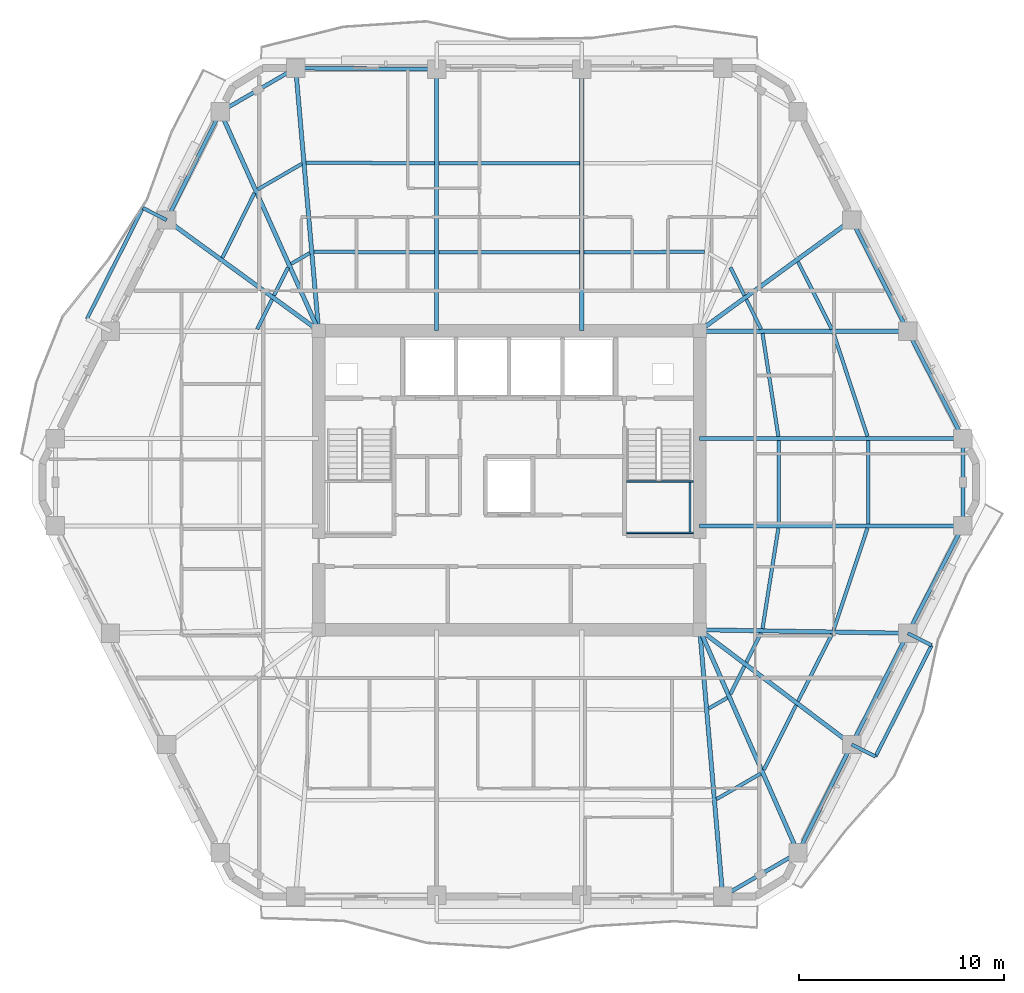
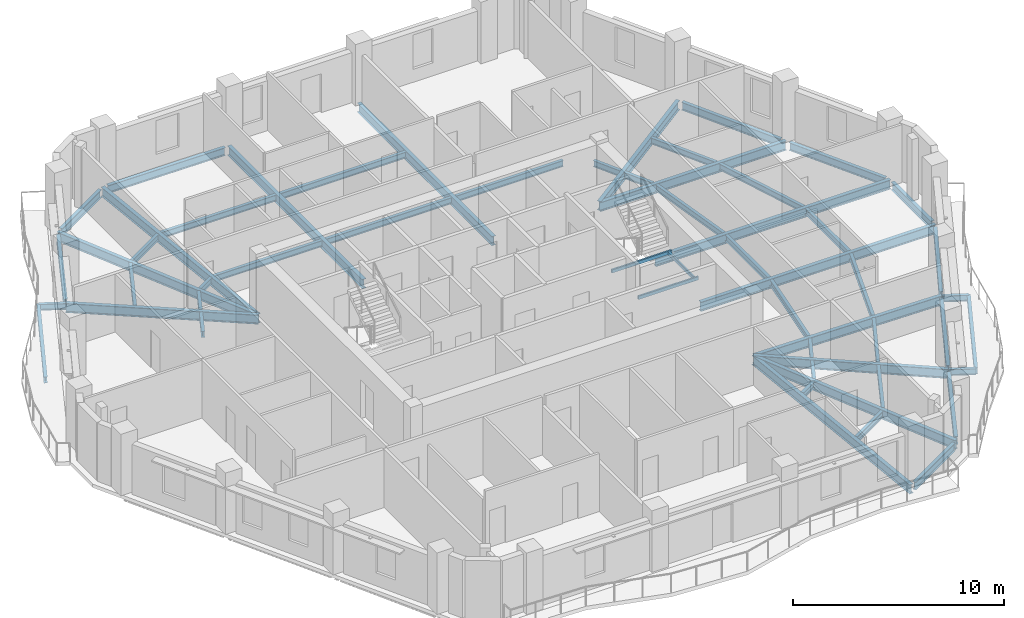
# One storey, part 2 of 11: 56 beams.
"""IFC4 building model written with IfcOpenShell, lengths in metres."""

from ifc_helpers import new_model, si_unit, direction, frame, origin, origin_2d, place, context, subcontext, project, spatial, hollow_rectangle, i_section, extrude, material, material_profile, profile_set, type_object, element, save


model = new_model("IFC4")

# Units and contexts
model_context = context("Model", 3, precision=1e-05, world=origin(), true_north=direction((0.0, 1.0)))
body_context = subcontext(model_context, "Body", "Model", "MODEL_VIEW")
ifc_project = project(units=[si_unit("LENGTHUNIT", "METRE"), si_unit("AREAUNIT", "SQUARE_METRE"), si_unit("VOLUMEUNIT", "CUBIC_METRE"), si_unit("PLANEANGLEUNIT", "RADIAN"), si_unit("MASSUNIT", "GRAM", prefix="KILO")], contexts=[model_context])

# Site, building, storey
site_placement = place(None, origin())
site = spatial("IfcSite", under=ifc_project, at=site_placement, CompositionType="ELEMENT")
building_placement = place(site_placement, origin())
building = spatial("IfcBuilding", under=site, at=building_placement, Name="Cinnabar Lancet Tower", CompositionType="ELEMENT")
storey_placement = place(building_placement, frame((0.0, 0.0, 182.550048828125)))
storey = spatial("IfcBuildingStorey", under=building, at=storey_placement, Name="L48", CompositionType="ELEMENT", Elevation=182.550048828125)

# Beams
ifc_material_1 = material(Name="Structural steel S355", Category="steel")
ifc_material_profile_1 = material_profile(ifc_material_1, i_section(OverallWidth=0.17138671875, OverallDepth=0.35498046875, WebThickness=0.00732421875, FlangeThickness=0.011474609375, FilletRadius=0.01025390625, at=origin_2d()), Name="UKB 356x171x51")
ifc_profile_set_1 = profile_set([ifc_material_profile_1], Name="Structural steel S355")
beam_type_1 = type_object("IfcBeamType", Name="STR-BM-JST-356", PredefinedType="JOIST", material=ifc_profile_set_1)
beam_1_placement = place(storey_placement, frame((42.51708984375, 10.3310546875, -0.3779296875), z_axis=(0.865267839663, 0.501309849937, 0.0), x_axis=(-0.501309849937, 0.865267839663, 0.0)))
element("IfcBeam", 1, at=beam_1_placement, inside=storey, type_object=beam_type_1, Name="L48 Secondary Floor Joist 15", PredefinedType="JOIST", context=body_context, shape_type="SweptSolid", body=[
    extrude(i_section(OverallWidth=0.17138671875, OverallDepth=0.35498046875, WebThickness=0.00732421875, FlangeThickness=0.011474609375, FilletRadius=0.01025390625, at=origin_2d()), origin(), (0.0, 0.0, 1.0), 2.497314453125),
])
beam_2_placement = place(storey_placement, frame((42.135986328125, 14.7548828125, -0.3779296875), z_axis=(0.8651881055, 0.501447446998, 0.0), x_axis=(-0.501447446998, 0.8651881055, 0.0)))
element("IfcBeam", 2, at=beam_2_placement, inside=storey, type_object=beam_type_1, Name="L48 Secondary Floor Joist 16", PredefinedType="JOIST", context=body_context, shape_type="SweptSolid", body=[
    extrude(i_section(OverallWidth=0.17138671875, OverallDepth=0.35498046875, WebThickness=0.00732421875, FlangeThickness=0.011474609375, FilletRadius=0.01025390625, at=origin_2d()), origin(), (0.0, 0.0, 1.0), 1.05322265625),
])
beam_3_placement = place(storey_placement, frame((44.8291015625, 11.758056640625, -0.3779296875), z_axis=(0.445027906173, 0.895516701534, 0.0), x_axis=(-0.895516701534, 0.445027906173, 0.0)))
element("IfcBeam", 3, at=beam_3_placement, inside=storey, type_object=beam_type_1, Name="L48 Secondary Floor Joist 17", PredefinedType="JOIST", context=body_context, shape_type="SweptSolid", body=[
    extrude(i_section(OverallWidth=0.17138671875, OverallDepth=0.35498046875, WebThickness=0.00732421875, FlangeThickness=0.011474609375, FilletRadius=0.01025390625, at=origin_2d()), origin(), (0.0, 0.0, 1.0), 3.531982421875),
])
beam_4_placement = place(storey_placement, frame((43.198974609375, 15.45703125, -0.3779296875), z_axis=(0.444589856968, 0.895734256954, 0.0), x_axis=(-0.895734256954, 0.444589856968, 0.0)))
element("IfcBeam", 4, at=beam_4_placement, inside=storey, type_object=beam_type_1, Name="L48 Secondary Floor Joist 18", PredefinedType="JOIST", context=body_context, shape_type="SweptSolid", body=[
    extrude(i_section(OverallWidth=0.17138671875, OverallDepth=0.35498046875, WebThickness=0.00732421875, FlangeThickness=0.011474609375, FilletRadius=0.01025390625, at=origin_2d()), origin(), (0.0, 0.0, 1.0), 1.527099609375),
])
beam_5_placement = place(storey_placement, frame((46.49609375, 15.112060546875, -0.3779296875), z_axis=(0.450564728728, 0.892743762357, 0.0), x_axis=(-0.892743762357, 0.450564728728, 0.0)))
element("IfcBeam", 5, at=beam_5_placement, inside=storey, type_object=beam_type_1, Name="L48 Secondary Floor Joist 19", PredefinedType="JOIST", context=body_context, shape_type="SweptSolid", body=[
    extrude(i_section(OverallWidth=0.17138671875, OverallDepth=0.35498046875, WebThickness=0.00732421875, FlangeThickness=0.011474609375, FilletRadius=0.01025390625, at=origin_2d()), origin(), (0.0, 0.0, 1.0), 3.66845703125),
])
beam_6_placement = place(storey_placement, frame((43.97412109375, 17.014892578125, -0.3779296875), z_axis=(0.450137936259, 0.892959035085, 0.0), x_axis=(-0.892959035085, 0.450137936259, 0.0)))
element("IfcBeam", 6, at=beam_6_placement, inside=storey, type_object=beam_type_1, Name="L48 Secondary Floor Joist 20", PredefinedType="JOIST", context=body_context, shape_type="SweptSolid", body=[
    extrude(i_section(OverallWidth=0.17138671875, OverallDepth=0.35498046875, WebThickness=0.00732421875, FlangeThickness=0.011474609375, FilletRadius=0.01025390625, at=origin_2d()), origin(), (0.0, 0.0, 1.0), 1.6015625),
])
beam_7_placement = place(storey_placement, frame((48.236083984375, 18.594970703125, -0.3779296875), z_axis=(0.315346227037, 0.948976689436, 0.0), x_axis=(-0.948976689436, 0.315346227037, 0.0)))
element("IfcBeam", 7, at=beam_7_placement, inside=storey, type_object=beam_type_1, Name="L48 Secondary Floor Joist 21", PredefinedType="JOIST", context=body_context, shape_type="SweptSolid", body=[
    extrude(i_section(OverallWidth=0.17138671875, OverallDepth=0.35498046875, WebThickness=0.00732421875, FlangeThickness=0.011474609375, FilletRadius=0.01025390625, at=origin_2d()), origin(), (0.0, 0.0, 1.0), 5.235107421875),
])
beam_8_placement = place(storey_placement, frame((44.763916015625, 18.653076171875, -0.3779296875), z_axis=(0.155750702097, 0.987796395416, 0.0), x_axis=(-0.987796395416, 0.155750702097, 0.0)))
element("IfcBeam", 8, at=beam_8_placement, inside=storey, type_object=beam_type_1, Name="L48 Secondary Floor Joist 22", PredefinedType="JOIST", context=body_context, shape_type="SweptSolid", body=[
    extrude(i_section(OverallWidth=0.17138671875, OverallDepth=0.35498046875, WebThickness=0.00732421875, FlangeThickness=0.011474609375, FilletRadius=0.01025390625, at=origin_2d()), origin(), (0.0, 0.0, 1.0), 4.970458984375),
])
for number, where, z_axis, x_axis, name in (
    (9, (49.922119140625, 23.77294921875, -0.3779296875), (0.0, 1.0, 0.0), (-1.0, 0.0, 0.0), "L48 Secondary Floor Joist 23"),
    (10, (45.553955078125, 23.77294921875, -0.3779296875), (0.0, 1.0, 0.0), (-1.0, 0.0, 0.0), "L48 Secondary Floor Joist 24"),
):
    element("IfcBeam", number, at=place(storey_placement, frame(where, z_axis=z_axis, x_axis=x_axis)), inside=storey, type_object=beam_type_1, Name=name, PredefinedType="JOIST", context=body_context, shape_type="SweptSolid", body=[
        extrude(i_section(OverallWidth=0.17138671875, OverallDepth=0.35498046875, WebThickness=0.00732421875, FlangeThickness=0.011474609375, FilletRadius=0.01025390625, at=origin_2d()), origin(), (0.0, 0.0, 1.0), 4.053955078125),
    ])
beam_9_placement = place(storey_placement, frame((49.887939453125, 28.037109375, -0.3779296875), z_axis=(-0.312240109925, 0.95000321776, 0.0), x_axis=(-0.95000321776, -0.312240109925, 0.0)))
element("IfcBeam", 11, at=beam_9_placement, inside=storey, type_object=beam_type_1, Name="L48 Secondary Floor Joist 25", PredefinedType="JOIST", context=body_context, shape_type="SweptSolid", body=[
    extrude(i_section(OverallWidth=0.17138671875, OverallDepth=0.35498046875, WebThickness=0.00732421875, FlangeThickness=0.011474609375, FilletRadius=0.01025390625, at=origin_2d()), origin(), (0.0, 0.0, 1.0), 5.29345703125),
])
beam_10_placement = place(storey_placement, frame((45.5380859375, 28.037109375, -0.3779296875), z_axis=(-0.152154536592, 0.98835671546, 0.0), x_axis=(-0.98835671546, -0.152154536592, 0.0)))
element("IfcBeam", 12, at=beam_10_placement, inside=storey, type_object=beam_type_1, Name="L48 Secondary Floor Joist 26", PredefinedType="JOIST", context=body_context, shape_type="SweptSolid", body=[
    extrude(i_section(OverallWidth=0.17138671875, OverallDepth=0.35498046875, WebThickness=0.00732421875, FlangeThickness=0.011474609375, FilletRadius=0.01025390625, at=origin_2d()), origin(), (0.0, 0.0, 1.0), 5.088134765625),
])
beam_11_placement = place(storey_placement, frame((48.14794921875, 33.27587890625, -0.3779296875), z_axis=(-0.449230875134, 0.893415704376, 0.0), x_axis=(-0.893415704376, -0.449230875134, 0.0)))
element("IfcBeam", 13, at=beam_11_placement, inside=storey, type_object=beam_type_1, Name="L48 Secondary Floor Joist 27", PredefinedType="JOIST", context=body_context, shape_type="SweptSolid", body=[
    extrude(i_section(OverallWidth=0.17138671875, OverallDepth=0.35498046875, WebThickness=0.00732421875, FlangeThickness=0.011474609375, FilletRadius=0.01025390625, at=origin_2d()), origin(), (0.0, 0.0, 1.0), 3.677001953125),
])
beam_12_placement = place(storey_placement, frame((44.695068359375, 33.27587890625, -0.3779296875), z_axis=(-0.446006949597, 0.89502949723, 0.0), x_axis=(-0.89502949723, -0.446006949597, 0.0)))
element("IfcBeam", 14, at=beam_12_placement, inside=storey, type_object=beam_type_1, Name="L48 Secondary Floor Joist 28", PredefinedType="JOIST", context=body_context, shape_type="SweptSolid", body=[
    extrude(i_section(OverallWidth=0.17138671875, OverallDepth=0.35498046875, WebThickness=0.00732421875, FlangeThickness=0.011474609375, FilletRadius=0.01025390625, at=origin_2d()), origin(), (0.0, 0.0, 1.0), 1.619140625),
])
beam_13_placement = place(storey_placement, frame((43.8779296875, 34.9150390625, -0.3779296875), z_axis=(-0.444589856968, 0.895734256954, 0.0), x_axis=(-0.895734256954, -0.444589856968, 0.0)))
element("IfcBeam", 15, at=beam_13_placement, inside=storey, type_object=beam_type_1, Name="L48 Secondary Floor Joist 30", PredefinedType="JOIST", context=body_context, shape_type="SweptSolid", body=[
    extrude(i_section(OverallWidth=0.17138671875, OverallDepth=0.35498046875, WebThickness=0.00732421875, FlangeThickness=0.011474609375, FilletRadius=0.01025390625, at=origin_2d()), origin(), (0.0, 0.0, 1.0), 1.527099609375),
])
beam_14_placement = place(storey_placement, frame((41.930908203125, 37.04296875, -0.3779296875), z_axis=(-0.999996795667, -0.002531532393, 0.0), x_axis=(0.002531532393, -0.999996795667, 0.0)))
element("IfcBeam", 16, at=beam_14_placement, inside=storey, type_object=beam_type_1, Name="L48 Secondary Floor Joist 34", PredefinedType="JOIST", context=body_context, shape_type="SweptSolid", body=[
    extrude(i_section(OverallWidth=0.17138671875, OverallDepth=0.35498046875, WebThickness=0.00732421875, FlangeThickness=0.011474609375, FilletRadius=0.01025390625, at=origin_2d()), origin(), (0.0, 0.0, 1.0), 5.8828125),
])
for number, where, z_axis, x_axis, name in (
    (17, (35.837890625, 41.364990234375, -0.3779296875), (-1.0, 0.0, 0.0), (0.0, -1.0, 0.0), "L48 Secondary Floor Joist 35"),
    (18, (35.837890625, 37.027099609375, -0.3779296875), (-1.0, 0.0, 0.0), (0.0, -1.0, 0.0), "L48 Secondary Floor Joist 36"),
):
    element("IfcBeam", number, at=place(storey_placement, frame(where, z_axis=z_axis, x_axis=x_axis)), inside=storey, type_object=beam_type_1, Name=name, PredefinedType="JOIST", context=body_context, shape_type="SweptSolid", body=[
        extrude(i_section(OverallWidth=0.17138671875, OverallDepth=0.35498046875, WebThickness=0.00732421875, FlangeThickness=0.011474609375, FilletRadius=0.01025390625, at=origin_2d()), origin(), (0.0, 0.0, 1.0), 6.8759765625),
    ])
beam_15_placement = place(storey_placement, frame((28.751953125, 41.365966796875, -0.3779296875), z_axis=(-0.999986965561, 0.005105752523, 0.0), x_axis=(-0.005105752523, -0.999986965561, 0.0)))
element("IfcBeam", 19, at=beam_15_placement, inside=storey, type_object=beam_type_1, Name="L48 Secondary Floor Joist 37", PredefinedType="JOIST", context=body_context, shape_type="SweptSolid", body=[
    extrude(i_section(OverallWidth=0.17138671875, OverallDepth=0.35498046875, WebThickness=0.00732421875, FlangeThickness=0.011474609375, FilletRadius=0.01025390625, at=origin_2d()), origin(), (0.0, 0.0, 1.0), 6.263916015625),
])
beam_16_placement = place(storey_placement, frame((28.751953125, 37.028076171875, -0.3779296875), z_axis=(-0.999996795933, 0.002531427338, 0.0), x_axis=(-0.002531427338, -0.999996795933, 0.0)))
element("IfcBeam", 20, at=beam_16_placement, inside=storey, type_object=beam_type_1, Name="L48 Secondary Floor Joist 38", PredefinedType="JOIST", context=body_context, shape_type="SweptSolid", body=[
    extrude(i_section(OverallWidth=0.17138671875, OverallDepth=0.35498046875, WebThickness=0.00732421875, FlangeThickness=0.011474609375, FilletRadius=0.01025390625, at=origin_2d()), origin(), (0.0, 0.0, 1.0), 5.883056640625),
])
beam_17_placement = place(storey_placement, frame((22.282958984375, 41.341064453125, -0.3779296875), z_axis=(-0.865267839663, -0.501309849937, 0.0), x_axis=(0.501309849937, -0.865267839663, 0.0)))
element("IfcBeam", 21, at=beam_17_placement, inside=storey, type_object=beam_type_1, Name="L48 Secondary Floor Joist 39", PredefinedType="JOIST", context=body_context, shape_type="SweptSolid", body=[
    extrude(i_section(OverallWidth=0.17138671875, OverallDepth=0.35498046875, WebThickness=0.00732421875, FlangeThickness=0.011474609375, FilletRadius=0.01025390625, at=origin_2d()), origin(), (0.0, 0.0, 1.0), 2.497314453125),
])
beam_18_placement = place(storey_placement, frame((22.6640625, 36.985107421875, -0.3779296875), z_axis=(-0.8651881055, -0.501447446998, 0.0), x_axis=(0.501447446998, -0.8651881055, 0.0)))
element("IfcBeam", 22, at=beam_18_placement, inside=storey, type_object=beam_type_1, Name="L48 Secondary Floor Joist 40", PredefinedType="JOIST", context=body_context, shape_type="SweptSolid", body=[
    extrude(i_section(OverallWidth=0.17138671875, OverallDepth=0.35498046875, WebThickness=0.00732421875, FlangeThickness=0.011474609375, FilletRadius=0.01025390625, at=origin_2d()), origin(), (0.0, 0.0, 1.0), 1.05322265625),
])
beam_19_placement = place(storey_placement, frame((19.970947265625, 39.9150390625, -0.3779296875), z_axis=(-0.444835507887, -0.895612288283, 0.0), x_axis=(0.895612288283, -0.444835507887, 0.0)))
element("IfcBeam", 23, at=beam_19_placement, inside=storey, type_object=beam_type_1, Name="L48 Secondary Floor Joist 41", PredefinedType="JOIST", context=body_context, shape_type="SweptSolid", body=[
    extrude(i_section(OverallWidth=0.17138671875, OverallDepth=0.35498046875, WebThickness=0.00732421875, FlangeThickness=0.011474609375, FilletRadius=0.01025390625, at=origin_2d()), origin(), (0.0, 0.0, 1.0), 3.533935546875),
])
beam_20_placement = place(storey_placement, frame((21.60107421875, 36.282958984375, -0.3779296875), z_axis=(-0.444589856968, -0.895734256954, 0.0), x_axis=(0.895734256954, -0.444589856968, 0.0)))
element("IfcBeam", 24, at=beam_20_placement, inside=storey, type_object=beam_type_1, Name="L48 Secondary Floor Joist 42", PredefinedType="JOIST", context=body_context, shape_type="SweptSolid", body=[
    extrude(i_section(OverallWidth=0.17138671875, OverallDepth=0.35498046875, WebThickness=0.00732421875, FlangeThickness=0.011474609375, FilletRadius=0.01025390625, at=origin_2d()), origin(), (0.0, 0.0, 1.0), 1.527099609375),
])
beam_21_placement = place(storey_placement, frame((20.826904296875, 34.72509765625, -0.3779296875), z_axis=(-0.44588615098, -0.895089682861, 0.0), x_axis=(0.895089682861, -0.44588615098, 0.0)))
element("IfcBeam", 25, at=beam_21_placement, inside=storey, type_object=beam_type_1, Name="L48 Secondary Floor Joist 44", PredefinedType="JOIST", context=body_context, shape_type="SweptSolid", body=[
    extrude(i_section(OverallWidth=0.17138671875, OverallDepth=0.35498046875, WebThickness=0.00732421875, FlangeThickness=0.011474609375, FilletRadius=0.01025390625, at=origin_2d()), origin(), (0.0, 0.0, 1.0), 1.619140625),
])
ifc_material_2 = material(Name="Structural steel S355", Category="steel")
ifc_material_profile_2 = material_profile(ifc_material_2, hollow_rectangle(XDim=0.10009765625, YDim=0.199951171875, WallThickness=0.008056640625, InnerFilletRadius=0.00390625, OuterFilletRadius=0.011962890625, at=origin_2d()), Name="RHS 200x100x8")
ifc_profile_set_2 = profile_set([ifc_material_profile_2], Name="Structural steel S355")
beam_type_2 = type_object("IfcBeamType", Name="STR-BM-LND-203", PredefinedType="BEAM", material=ifc_profile_set_2)
for number, where, z_axis, x_axis, name in (
    (26, (38.1201171875, 23.330078125, 1.474853515625), (1.0, 0.0, 0.0), (0.0, 1.0, 0.0), "L48 ST-2-L48 Landing Support Beam S"),
    (27, (38.1201171875, 25.844970703125, 1.474853515625), (1.0, 0.0, 0.0), (0.0, 1.0, 0.0), "L48 ST-2-L48 Landing Support Beam N"),
):
    element("IfcBeam", number, at=place(storey_placement, frame(where, z_axis=z_axis, x_axis=x_axis)), inside=storey, type_object=beam_type_2, Name=name, PredefinedType="BEAM", context=body_context, shape_type="SweptSolid", body=[
        extrude(hollow_rectangle(XDim=0.10009765625, YDim=0.199951171875, WallThickness=0.008056640625, InnerFilletRadius=0.00390625, OuterFilletRadius=0.011962890625, at=origin_2d()), origin(), (0.0, 0.0, 1.0), 3.27978515625),
    ])
beam_22_placement = place(storey_placement, frame((41.219970703125, 23.3798828125, 1.474853515625), z_axis=(0.0, 1.0, 0.0), x_axis=(-1.0, 0.0, 0.0)))
element("IfcBeam", 28, at=beam_22_placement, inside=storey, type_object=beam_type_2, Name="L48 ST-2-L48 Landing Side Trimmer Beam", PredefinedType="BEAM", context=body_context, shape_type="SweptSolid", body=[
    extrude(hollow_rectangle(XDim=0.10009765625, YDim=0.199951171875, WallThickness=0.008056640625, InnerFilletRadius=0.00390625, OuterFilletRadius=0.011962890625, at=origin_2d()), origin(), (0.0, 0.0, 1.0), 2.4150390625),
])
ifc_material_3 = material(Name="Structural steel S355", Category="steel")
ifc_material_profile_3 = material_profile(ifc_material_3, i_section(OverallWidth=0.1904296875, OverallDepth=0.45703125, WebThickness=0.009033203125, FlangeThickness=0.014404296875, FilletRadius=0.01025390625, at=origin_2d()), Name="UKB 457x191x74")
ifc_profile_set_3 = profile_set([ifc_material_profile_3], Name="Structural steel S355")
beam_type_3 = type_object("IfcBeamType", Name="STR-BM-SPN-457", PredefinedType="SPANDREL", material=ifc_profile_set_3)
beam_23_placement = place(storey_placement, frame((43.037109375, 5.714111328125, -0.428955078125), z_axis=(0.865195717586, 0.501434313016, 0.0), x_axis=(-0.501434313016, 0.865195717586, 0.0)))
element("IfcBeam", 29, at=beam_23_placement, inside=storey, type_object=beam_type_3, Name="L48 Perimeter Spandrel 4", PredefinedType="SPANDREL", context=body_context, shape_type="SweptSolid", body=[
    extrude(i_section(OverallWidth=0.1904296875, OverallDepth=0.45703125, WebThickness=0.009033203125, FlangeThickness=0.014404296875, FilletRadius=0.01025390625, at=origin_2d()), origin(), (0.0, 0.0, 1.0), 3.7470703125),
])
beam_24_placement = place(storey_placement, frame((46.60595703125, 7.94189453125, -0.428955078125), z_axis=(0.444914968367, 0.895572817208, 0.0), x_axis=(-0.895572817208, 0.444914968367, 0.0)))
element("IfcBeam", 30, at=beam_24_placement, inside=storey, type_object=beam_type_3, Name="L48 Perimeter Spandrel 5", PredefinedType="SPANDREL", context=body_context, shape_type="SweptSolid", body=[
    extrude(i_section(OverallWidth=0.1904296875, OverallDepth=0.45703125, WebThickness=0.009033203125, FlangeThickness=0.014404296875, FilletRadius=0.01025390625, at=origin_2d()), origin(), (0.0, 0.0, 1.0), 5.39892578125),
])
beam_25_placement = place(storey_placement, frame((49.23193359375, 13.22412109375, -0.428955078125), z_axis=(0.450395996562, 0.892828900899, 0.0), x_axis=(-0.892828900899, 0.450395996562, 0.0)))
element("IfcBeam", 31, at=beam_25_placement, inside=storey, type_object=beam_type_3, Name="L48 Perimeter Spandrel 6", PredefinedType="SPANDREL", context=body_context, shape_type="SweptSolid", body=[
    extrude(i_section(OverallWidth=0.1904296875, OverallDepth=0.45703125, WebThickness=0.009033203125, FlangeThickness=0.014404296875, FilletRadius=0.01025390625, at=origin_2d()), origin(), (0.0, 0.0, 1.0), 5.579833984375),
])
beam_26_placement = place(storey_placement, frame((51.971923828125, 18.65087890625, -0.428955078125), z_axis=(0.456628362232, 0.889657540184, 0.0), x_axis=(-0.889657540184, 0.456628362232, 0.0)))
element("IfcBeam", 32, at=beam_26_placement, inside=storey, type_object=beam_type_3, Name="L48 Perimeter Spandrel 7", PredefinedType="SPANDREL", context=body_context, shape_type="SweptSolid", body=[
    extrude(i_section(OverallWidth=0.1904296875, OverallDepth=0.45703125, WebThickness=0.009033203125, FlangeThickness=0.014404296875, FilletRadius=0.01025390625, at=origin_2d()), origin(), (0.0, 0.0, 1.0), 5.389892578125),
])
beam_27_placement = place(storey_placement, frame((54.547119140625, 23.91796875, -0.428955078125), z_axis=(0.0, 1.0, 0.0), x_axis=(-1.0, 0.0, 0.0)))
element("IfcBeam", 33, at=beam_27_placement, inside=storey, type_object=beam_type_3, Name="L48 Perimeter Spandrel 8", PredefinedType="SPANDREL", context=body_context, shape_type="SweptSolid", body=[
    extrude(i_section(OverallWidth=0.1904296875, OverallDepth=0.45703125, WebThickness=0.009033203125, FlangeThickness=0.014404296875, FilletRadius=0.01025390625, at=origin_2d()), origin(), (0.0, 0.0, 1.0), 3.763916015625),
])
beam_28_placement = place(storey_placement, frame((54.43310546875, 28.154052734375, -0.428955078125), z_axis=(-0.456646764028, 0.889648094981, 0.0), x_axis=(-0.889648094981, -0.456646764028, 0.0)))
element("IfcBeam", 34, at=beam_28_placement, inside=storey, type_object=beam_type_3, Name="L48 Perimeter Spandrel 9", PredefinedType="SPANDREL", context=body_context, shape_type="SweptSolid", body=[
    extrude(i_section(OverallWidth=0.1904296875, OverallDepth=0.45703125, WebThickness=0.009033203125, FlangeThickness=0.014404296875, FilletRadius=0.01025390625, at=origin_2d()), origin(), (0.0, 0.0, 1.0), 5.3896484375),
])
beam_29_placement = place(storey_placement, frame((51.7451171875, 33.39404296875, -0.428955078125), z_axis=(-0.450395996562, 0.892828900899, 0.0), x_axis=(-0.892828900899, -0.450395996562, 0.0)))
element("IfcBeam", 35, at=beam_29_placement, inside=storey, type_object=beam_type_3, Name="L48 Perimeter Spandrel 10", PredefinedType="SPANDREL", context=body_context, shape_type="SweptSolid", body=[
    extrude(i_section(OverallWidth=0.1904296875, OverallDepth=0.45703125, WebThickness=0.009033203125, FlangeThickness=0.014404296875, FilletRadius=0.01025390625, at=origin_2d()), origin(), (0.0, 0.0, 1.0), 5.579833984375),
])
beam_30_placement = place(storey_placement, frame((28.60693359375, 45.9599609375, -0.428955078125), z_axis=(-0.999970401924, 0.007693846685, 0.0), x_axis=(-0.007693846685, -0.999970401924, 0.0)))
element("IfcBeam", 36, at=beam_30_placement, inside=storey, type_object=beam_type_3, Name="L48 Perimeter Spandrel 15", PredefinedType="SPANDREL", context=body_context, shape_type="SweptSolid", body=[
    extrude(i_section(OverallWidth=0.1904296875, OverallDepth=0.45703125, WebThickness=0.009033203125, FlangeThickness=0.014404296875, FilletRadius=0.01025390625, at=origin_2d()), origin(), (0.0, 0.0, 1.0), 6.378173828125),
])
beam_31_placement = place(storey_placement, frame((21.762939453125, 45.885986328125, -0.428955078125), z_axis=(-0.865195717586, -0.501434313016, 0.0), x_axis=(0.501434313016, -0.865195717586, 0.0)))
element("IfcBeam", 37, at=beam_31_placement, inside=storey, type_object=beam_type_3, Name="L48 Perimeter Spandrel 16", PredefinedType="SPANDREL", context=body_context, shape_type="SweptSolid", body=[
    extrude(i_section(OverallWidth=0.1904296875, OverallDepth=0.45703125, WebThickness=0.009033203125, FlangeThickness=0.014404296875, FilletRadius=0.01025390625, at=origin_2d()), origin(), (0.0, 0.0, 1.0), 3.7470703125),
])
beam_32_placement = place(storey_placement, frame((18.194091796875, 43.657958984375, -0.428955078125), z_axis=(-0.444932986899, -0.895563865489, 0.0), x_axis=(0.895563865489, -0.444932986899, 0.0)))
element("IfcBeam", 38, at=beam_32_placement, inside=storey, type_object=beam_type_3, Name="L48 Perimeter Spandrel 17", PredefinedType="SPANDREL", context=body_context, shape_type="SweptSolid", body=[
    extrude(i_section(OverallWidth=0.1904296875, OverallDepth=0.45703125, WebThickness=0.009033203125, FlangeThickness=0.014404296875, FilletRadius=0.01025390625, at=origin_2d()), origin(), (0.0, 0.0, 1.0), 5.398681640625),
])
ifc_material_4 = material(Name="Structural steel S355", Category="steel")
ifc_material_profile_4 = material_profile(ifc_material_4, i_section(OverallWidth=0.209228515625, OverallDepth=0.533203125, WebThickness=0.010009765625, FlangeThickness=0.015625, FilletRadius=0.0126953125, at=origin_2d()), Name="UKB 533x210x92")
ifc_profile_set_4 = profile_set([ifc_material_profile_4], Name="Structural steel S355")
beam_type_4 = type_object("IfcBeamType", Name="STR-BM-UKB533-92", PredefinedType="BEAM", material=ifc_profile_set_4)
beam_33_placement = place(storey_placement, frame((49.118896484375, 13.0009765625, -0.467041015625), z_axis=(-0.798193439732, 0.602401222417, 0.0), x_axis=(-0.602401222417, -0.798193439732, 0.0)))
element("IfcBeam", 39, at=beam_33_placement, inside=storey, type_object=beam_type_4, Name="L48 Corner Collector Girder 2", PredefinedType="BEAM", context=body_context, shape_type="SweptSolid", body=[
    extrude(i_section(OverallWidth=0.209228515625, OverallDepth=0.533203125, WebThickness=0.010009765625, FlangeThickness=0.015625, FilletRadius=0.0126953125, at=origin_2d()), origin(), (0.0, 0.0, 1.0), 9.294677734375),
])
beam_34_placement = place(storey_placement, frame((49.118896484375, 38.59912109375, -0.467041015625), z_axis=(-0.808550797984, -0.588426382039, 0.0), x_axis=(0.588426382039, -0.808550797984, 0.0)))
element("IfcBeam", 40, at=beam_34_placement, inside=storey, type_object=beam_type_4, Name="L48 Corner Collector Girder 3", PredefinedType="BEAM", context=body_context, shape_type="SweptSolid", body=[
    extrude(i_section(OverallWidth=0.209228515625, OverallDepth=0.533203125, WebThickness=0.010009765625, FlangeThickness=0.015625, FilletRadius=0.0126953125, at=origin_2d()), origin(), (0.0, 0.0, 1.0), 9.175537109375),
])
beam_35_placement = place(storey_placement, frame((15.680908203125, 38.59912109375, -0.467041015625), z_axis=(0.80856001044, -0.588413723087, 0.0), x_axis=(0.588413723087, 0.80856001044, 0.0)))
element("IfcBeam", 41, at=beam_35_placement, inside=storey, type_object=beam_type_4, Name="L48 Corner Collector Girder 4", PredefinedType="BEAM", context=body_context, shape_type="SweptSolid", body=[
    extrude(i_section(OverallWidth=0.209228515625, OverallDepth=0.533203125, WebThickness=0.010009765625, FlangeThickness=0.015625, FilletRadius=0.0126953125, at=origin_2d()), origin(), (0.0, 0.0, 1.0), 9.17578125),
])
beam_36_placement = place(storey_placement, frame((42.821044921875, 5.589111328125, -0.467041015625), z_axis=(-0.085847068729, 0.996308326167, 0.0), x_axis=(-0.996308326167, -0.085847068729, 0.0)))
element("IfcBeam", 42, at=beam_36_placement, inside=storey, type_object=beam_type_4, Name="L48 Primary Floor Girder 4", PredefinedType="BEAM", context=body_context, shape_type="SweptSolid", body=[
    extrude(i_section(OverallWidth=0.209228515625, OverallDepth=0.533203125, WebThickness=0.010009765625, FlangeThickness=0.015625, FilletRadius=0.0126953125, at=origin_2d()), origin(), (0.0, 0.0, 1.0), 13.05908203125),
])
beam_37_placement = place(storey_placement, frame((46.4951171875, 7.718017578125, -0.467041015625), z_axis=(-0.403235299754, 0.915096329919, 0.0), x_axis=(-0.915096329919, -0.403235299754, 0.0)))
element("IfcBeam", 43, at=beam_37_placement, inside=storey, type_object=beam_type_4, Name="L48 Primary Floor Girder 5", PredefinedType="BEAM", context=body_context, shape_type="SweptSolid", body=[
    extrude(i_section(OverallWidth=0.209228515625, OverallDepth=0.533203125, WebThickness=0.010009765625, FlangeThickness=0.015625, FilletRadius=0.0126953125, at=origin_2d()), origin(), (0.0, 0.0, 1.0), 11.891845703125),
])
beam_38_placement = place(storey_placement, frame((51.85791015625, 18.428955078125, -0.467041015625), z_axis=(-0.999858100525, 0.016845735777, 0.0), x_axis=(-0.016845735777, -0.999858100525, 0.0)))
element("IfcBeam", 44, at=beam_38_placement, inside=storey, type_object=beam_type_4, Name="L48 Primary Floor Girder 7", PredefinedType="BEAM", context=body_context, shape_type="SweptSolid", body=[
    extrude(i_section(OverallWidth=0.209228515625, OverallDepth=0.533203125, WebThickness=0.010009765625, FlangeThickness=0.015625, FilletRadius=0.0126953125, at=origin_2d()), origin(), (0.0, 0.0, 1.0), 10.159423828125),
])
for number, where, z_axis, x_axis, name in (
    (45, (54.547119140625, 23.66796875, -0.467041015625), (-1.0, 0.0, 0.0), (0.0, -1.0, 0.0), "L48 Primary Floor Girder 8"),
    (46, (54.547119140625, 27.931884765625, -0.467041015625), (-1.0, 0.0, 0.0), (0.0, -1.0, 0.0), "L48 Primary Floor Girder 9"),
):
    element("IfcBeam", number, at=place(storey_placement, frame(where, z_axis=z_axis, x_axis=x_axis)), inside=storey, type_object=beam_type_4, Name=name, PredefinedType="BEAM", context=body_context, shape_type="SweptSolid", body=[
        extrude(i_section(OverallWidth=0.209228515625, OverallDepth=0.533203125, WebThickness=0.010009765625, FlangeThickness=0.015625, FilletRadius=0.0126953125, at=origin_2d()), origin(), (0.0, 0.0, 1.0), 12.84716796875),
    ])
beam_39_placement = place(storey_placement, frame((51.85791015625, 33.1708984375, -0.467041015625), z_axis=(-1.0, 0.0, 0.0), x_axis=(0.0, -1.0, 0.0)))
element("IfcBeam", 47, at=beam_39_placement, inside=storey, type_object=beam_type_4, Name="L48 Primary Floor Girder 10", PredefinedType="BEAM", context=body_context, shape_type="SweptSolid", body=[
    extrude(i_section(OverallWidth=0.209228515625, OverallDepth=0.533203125, WebThickness=0.010009765625, FlangeThickness=0.015625, FilletRadius=0.0126953125, at=origin_2d()), origin(), (0.0, 0.0, 1.0), 10.157958984375),
])
for number, where, z_axis, x_axis, name in (
    (48, (35.943115234375, 45.9580078125, -0.467041015625), (0.0, -1.0, 0.0), (1.0, 0.0, 0.0), "L48 Primary Floor Girder 14"),
    (49, (28.85693359375, 45.9580078125, -0.467041015625), (0.0, -1.0, 0.0), (1.0, 0.0, 0.0), "L48 Primary Floor Girder 15"),
):
    element("IfcBeam", number, at=place(storey_placement, frame(where, z_axis=z_axis, x_axis=x_axis)), inside=storey, type_object=beam_type_4, Name=name, PredefinedType="BEAM", context=body_context, shape_type="SweptSolid", body=[
        extrude(i_section(OverallWidth=0.209228515625, OverallDepth=0.533203125, WebThickness=0.010009765625, FlangeThickness=0.015625, FilletRadius=0.0126953125, at=origin_2d()), origin(), (0.0, 0.0, 1.0), 12.758056640625),
    ])
beam_40_placement = place(storey_placement, frame((21.97900390625, 46.010986328125, -0.467041015625), z_axis=(0.087176841412, -0.996192851973, 0.0), x_axis=(0.996192851973, 0.087176841412, 0.0)))
element("IfcBeam", 50, at=beam_40_placement, inside=storey, type_object=beam_type_4, Name="L48 Primary Floor Girder 16", PredefinedType="BEAM", context=body_context, shape_type="SweptSolid", body=[
    extrude(i_section(OverallWidth=0.209228515625, OverallDepth=0.533203125, WebThickness=0.010009765625, FlangeThickness=0.015625, FilletRadius=0.0126953125, at=origin_2d()), origin(), (0.0, 0.0, 1.0), 12.860107421875),
])
beam_41_placement = place(storey_placement, frame((18.304931640625, 43.882080078125, -0.467041015625), z_axis=(0.409527011626, -0.912297992297, 0.0), x_axis=(0.912297992297, 0.409527011626, 0.0)))
element("IfcBeam", 51, at=beam_41_placement, inside=storey, type_object=beam_type_4, Name="L48 Primary Floor Girder 17", PredefinedType="BEAM", context=body_context, shape_type="SweptSolid", body=[
    extrude(i_section(OverallWidth=0.209228515625, OverallDepth=0.533203125, WebThickness=0.010009765625, FlangeThickness=0.015625, FilletRadius=0.0126953125, at=origin_2d()), origin(), (0.0, 0.0, 1.0), 11.708984375),
])
ifc_material_5 = material(Name="Structural steel S355", Category="steel")
ifc_material_profile_5 = material_profile(ifc_material_5, i_section(OverallWidth=0.17138671875, OverallDepth=0.35498046875, WebThickness=0.00732421875, FlangeThickness=0.011474609375, FilletRadius=0.01025390625, at=origin_2d()), Name="UKB 356x171x51")
ifc_profile_set_5 = profile_set([ifc_material_profile_5], Name="Structural steel S355")
beam_type_5 = type_object("IfcBeamType", Name="STR-BM-WAV-OUT", PredefinedType="BEAM", material=ifc_profile_set_5)
for number, where, z_axis, x_axis, name in (
    (52, (49.118896484375, 13.0009765625, -0.39697265625), (0.892314203325, -0.451414845285, 0.0), (0.451414845285, 0.892314203325, 0.0), "L48 Face 2 Balcony Outlooker A"),
    (53, (51.85791015625, 18.428955078125, -0.39697265625), (0.892314203325, -0.451414845285, 0.0), (0.451414845285, 0.892314203325, 0.0), "L48 Face 2 Balcony Outlooker B"),
    (54, (15.680908203125, 38.59912109375, -0.39697265625), (-0.89227592947, 0.451490493464, 0.0), (-0.451490493464, -0.89227592947, 0.0), "L48 Face 5 Balcony Outlooker A"),
):
    element("IfcBeam", number, at=place(storey_placement, frame(where, z_axis=z_axis, x_axis=x_axis)), inside=storey, type_object=beam_type_5, Name=name, PredefinedType="BEAM", context=body_context, shape_type="SweptSolid", body=[
        extrude(i_section(OverallWidth=0.17138671875, OverallDepth=0.35498046875, WebThickness=0.00732421875, FlangeThickness=0.011474609375, FilletRadius=0.01025390625, at=origin_2d()), origin(), (0.0, 0.0, 1.0), 1.300048828125),
    ])
ifc_material_6 = material(Name="Structural steel S355", Category="steel")
ifc_material_profile_6 = material_profile(ifc_material_6, i_section(OverallWidth=0.17138671875, OverallDepth=0.35498046875, WebThickness=0.00732421875, FlangeThickness=0.011474609375, FilletRadius=0.01025390625, at=origin_2d()), Name="UKB 356x171x51")
ifc_profile_set_6 = profile_set([ifc_material_profile_6], Name="Structural steel S355")
beam_type_6 = type_object("IfcBeamType", Name="STR-BM-WAV-TRIM", PredefinedType="SPANDREL", material=ifc_profile_set_6)
for number, where, z_axis, x_axis, name in (
    (55, (50.279052734375, 12.4140625, -0.39697265625), (0.450503306898, 0.892774759093, 0.0), (-0.892774759093, 0.450503306898, 0.0), "L48 Face 2 Balcony Edge Trimmer"),
    (56, (14.52099609375, 39.18603515625, -0.39697265625), (-0.450503306898, -0.892774759093, 0.0), (0.892774759093, -0.450503306898, 0.0), "L48 Face 5 Balcony Edge Trimmer"),
):
    element("IfcBeam", number, at=place(storey_placement, frame(where, z_axis=z_axis, x_axis=x_axis)), inside=storey, type_object=beam_type_6, Name=name, PredefinedType="SPANDREL", context=body_context, shape_type="SweptSolid", body=[
        extrude(i_section(OverallWidth=0.17138671875, OverallDepth=0.35498046875, WebThickness=0.00732421875, FlangeThickness=0.011474609375, FilletRadius=0.01025390625, at=origin_2d()), origin(), (0.0, 0.0, 1.0), 6.079833984375),
    ])

save(model, "model.ifc")
